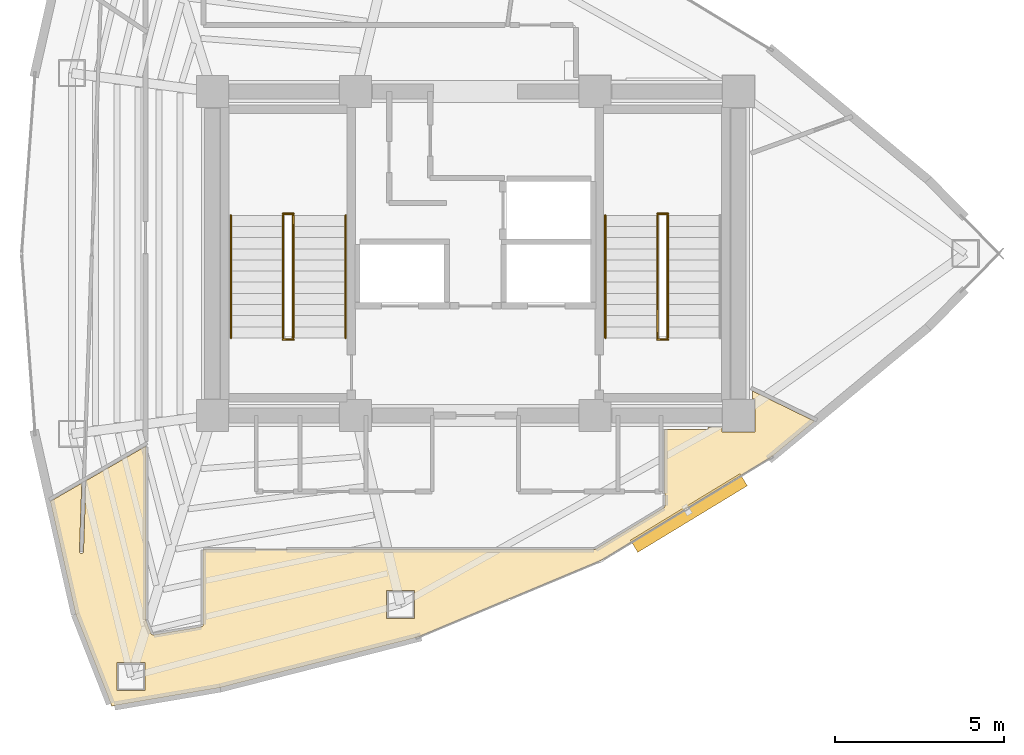
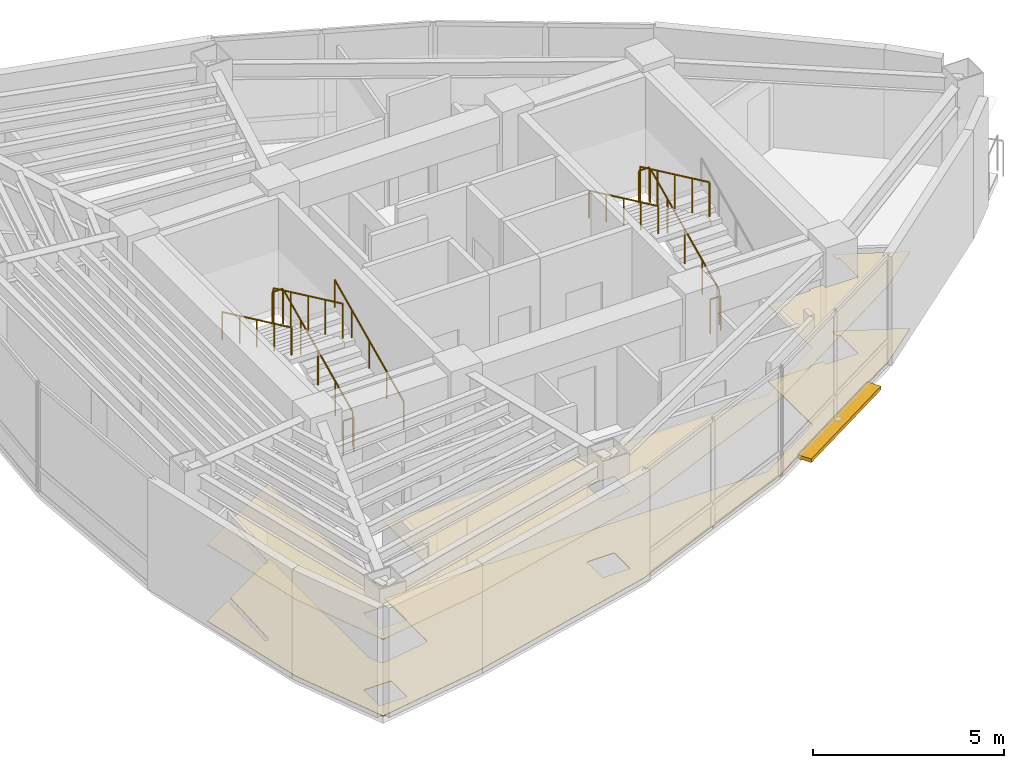
# One storey, part 14 of 16: 11 railings, 2 coverings, 1 shading device.
"""IFC4 building model written with IfcOpenShell, lengths in metres."""

from ifc_helpers import new_model, si_unit, direction, frame, origin, origin_2d, place, context, subcontext, project, spatial, polyline, rectangle, circle, outline, extrude, material, layer, layer_set, type_object, element, save


model = new_model("IFC4")

# Units and contexts
model_context = context("Model", 3, precision=1e-05, world=origin(), true_north=direction((0.0, 1.0)))
body_context = subcontext(model_context, "Body", "Model", "MODEL_VIEW")
ifc_project = project(units=[si_unit("LENGTHUNIT", "METRE"), si_unit("AREAUNIT", "SQUARE_METRE"), si_unit("VOLUMEUNIT", "CUBIC_METRE"), si_unit("PLANEANGLEUNIT", "RADIAN"), si_unit("MASSUNIT", "GRAM", prefix="KILO")], contexts=[model_context])

# Site, building, storey
site_placement = place(None, origin())
site = spatial("IfcSite", under=ifc_project, at=site_placement, CompositionType="ELEMENT")
building_placement = place(site_placement, origin())
building = spatial("IfcBuilding", under=site, at=building_placement, Name="Menara Vayukalpa", CompositionType="ELEMENT")
storey_placement = place(building_placement, frame((0.0, 0.0, 276.89990234375)))
storey = spatial("IfcBuildingStorey", under=building, at=storey_placement, Name="L70", CompositionType="ELEMENT", Elevation=276.89990234375)

# Coverings
ifc_material_1 = material(Name="Mineral Fibre Acoustic Ceiling Tile", Category="masonry")
ifc_layer_1 = layer(ifc_material_1, 0.02490234375)
ifc_layer_set_1 = layer_set([ifc_layer_1], Name="Mineral Fibre Acoustic Ceiling Tile")
covering_type_1 = type_object("IfcCoveringType", Name="COV-CLG1", PredefinedType="CEILING", material=ifc_layer_set_1)
covering_1_placement = place(storey_placement, frame((0.0, 0.0, 2.4501953125)))
element("IfcCovering", 1, at=covering_1_placement, inside=storey, type_object=covering_type_1, Name="L70 Client Conference Room Acoustic Ceiling", PredefinedType="CEILING", context=body_context, shape_type="SweptSolid", body=[
    extrude(outline(polyline([(23.878662109375, 10.624755859375), (23.877197265625, 10.624267578125), (18.028564453125, 9.1328125), (18.027587890625, 9.132568359375), (14.82861328125, 8.58935546875), (14.827392578125, 8.589111328125), (14.826416015625, 8.589111328125), (14.82568359375, 8.58935546875), (14.82470703125, 8.58935546875), (14.82373046875, 8.589599609375), (14.82275390625, 8.590087890625), (14.822021484375, 8.590576171875), (14.821044921875, 8.591064453125), (14.8203125, 8.591552734375), (14.819580078125, 8.59228515625), (14.81884765625, 8.593017578125), (14.818359375, 8.59375), (14.81787109375, 8.5947265625), (14.8173828125, 8.595458984375), (13.751953125, 11.308837890625), (13.751708984375, 11.309814453125), (13.75146484375, 11.310302734375), (13.00048828125, 14.648193359375), (13.000244140625, 14.649169921875), (13.000244140625, 14.650146484375), (13.000244140625, 14.651123046875), (13.000244140625, 14.652099609375), (13.00048828125, 14.653076171875), (13.0009765625, 14.654052734375), (13.001220703125, 14.65478515625), (13.001708984375, 14.65576171875), (13.002197265625, 14.656494140625), (13.0029296875, 14.6572265625), (13.003662109375, 14.657958984375), (13.00439453125, 14.658447265625), (13.005126953125, 14.6591796875), (13.916015625, 15.184814453125), (13.916748046875, 15.185302734375), (13.917724609375, 15.185791015625), (13.918701171875, 15.185791015625), (13.91943359375, 15.18603515625), (13.92041015625, 15.186279296875), (13.92138671875, 15.186279296875), (13.92236328125, 15.18603515625), (13.92333984375, 15.185791015625), (13.92431640625, 15.185546875), (13.92529296875, 15.185302734375), (13.926025390625, 15.184814453125), (13.927001953125, 15.18408203125), (13.927490234375, 15.18359375), (13.92822265625, 15.182861328125), (13.928955078125, 15.18212890625), (13.929443359375, 15.181396484375), (13.929931640625, 15.180419921875), (13.930419921875, 15.1796875), (13.9306640625, 15.1787109375), (13.930908203125, 15.177734375), (13.930908203125, 15.1767578125), (13.930908203125, 15.17578125), (13.861083984375, 13.17333984375), (13.861083984375, 13.167236328125), (13.86181640625, 13.161376953125), (13.863037109375, 13.155517578125), (13.86474609375, 13.14990234375), (13.8671875, 13.14453125), (13.869873046875, 13.139404296875), (13.873291015625, 13.134521484375), (13.876953125, 13.130126953125), (13.881103515625, 13.1259765625), (13.8857421875, 13.122314453125), (13.890869140625, 13.119140625), (13.89599609375, 13.116455078125), (13.901611328125, 13.1142578125), (13.9072265625, 13.112548828125), (13.912841796875, 13.111572265625), (13.918701171875, 13.111083984375), (13.9248046875, 13.111083984375), (13.9306640625, 13.11181640625), (13.936279296875, 13.113037109375), (13.94189453125, 13.114990234375), (13.947265625, 13.1171875), (13.952392578125, 13.1201171875), (13.95751953125, 13.123291015625), (13.9619140625, 13.127197265625), (13.9658203125, 13.13134765625), (13.969482421875, 13.135986328125), (13.972900390625, 13.140869140625), (13.9755859375, 13.14599609375), (13.9775390625, 13.151611328125), (13.9794921875, 13.1572265625), (13.98046875, 13.1630859375), (13.98095703125, 13.169189453125), (14.053955078125, 15.259033203125), (14.053955078125, 15.26025390625), (14.05419921875, 15.26123046875), (14.054443359375, 15.26220703125), (14.054931640625, 15.26318359375), (14.055419921875, 15.263916015625), (14.055908203125, 15.264892578125), (14.056396484375, 15.265625), (14.057373046875, 15.266357421875), (14.05810546875, 15.266845703125), (14.058837890625, 15.267578125), (15.81494140625, 16.281494140625), (15.81591796875, 16.28173828125), (15.81689453125, 16.2822265625), (15.81787109375, 16.282470703125), (15.81884765625, 16.28271484375), (15.81982421875, 16.28271484375), (15.82080078125, 16.28271484375), (15.82177734375, 16.282470703125), (15.82275390625, 16.2822265625), (15.82373046875, 16.281982421875), (15.82470703125, 16.281494140625), (15.825439453125, 16.281005859375), (15.826171875, 16.280517578125), (15.826904296875, 16.27978515625), (15.82763671875, 16.279052734375), (15.828369140625, 16.2783203125), (15.828857421875, 16.277587890625), (15.8291015625, 16.276611328125), (15.82958984375, 16.275634765625), (15.829833984375, 16.274658203125), (15.830078125, 16.273681640625), (15.830078125, 16.272705078125), (15.830078125, 11.146484375), (15.830322265625, 11.1396484375), (15.831298828125, 11.13330078125), (15.832763671875, 11.126708984375), (15.8349609375, 11.12060546875), (15.984619140625, 10.7392578125), (15.987548828125, 10.732666015625), (15.990966796875, 10.726806640625), (15.994873046875, 10.72119140625), (15.999267578125, 10.716064453125), (16.00439453125, 10.71142578125), (16.009765625, 10.707275390625), (16.015625, 10.70361328125), (16.021484375, 10.700439453125), (16.02783203125, 10.697998046875), (16.034423828125, 10.6962890625), (16.041259765625, 10.695068359375), (16.048095703125, 10.694580078125), (16.054931640625, 10.694580078125), (16.06201171875, 10.695556640625), (17.471435546875, 10.934814453125), (17.478515625, 10.936279296875), (17.485107421875, 10.938720703125), (17.49169921875, 10.94140625), (17.497802734375, 10.94482421875), (17.50341796875, 10.94921875), (17.5087890625, 10.95361328125), (17.513427734375, 10.958740234375), (17.517822265625, 10.96435546875), (17.521484375, 10.97021484375), (17.5244140625, 10.9765625), (17.52685546875, 10.983154296875), (17.528564453125, 10.989990234375), (17.529541015625, 10.996826171875), (17.530029296875, 11.004150390625), (17.530029296875, 13.2099609375), (17.530029296875, 13.2109375), (17.5302734375, 13.2119140625), (17.530517578125, 13.212890625), (17.53076171875, 13.2138671875), (17.53125, 13.214599609375), (17.53173828125, 13.215576171875), (17.5322265625, 13.21630859375), (17.532958984375, 13.217041015625), (17.53369140625, 13.2177734375), (17.534423828125, 13.21826171875), (17.535400390625, 13.21875), (17.5361328125, 13.21923828125), (17.537109375, 13.219482421875), (17.5380859375, 13.2197265625), (17.5390625, 13.219970703125), (17.5400390625, 13.219970703125), (29.109619140625, 13.219970703125), (29.11669921875, 13.220458984375), (29.12353515625, 13.221435546875), (29.13037109375, 13.22314453125), (29.13720703125, 13.2255859375), (29.153076171875, 13.232177734375), (29.157958984375, 13.234375), (29.16259765625, 13.237060546875), (31.18603515625, 14.46630859375), (31.1923828125, 14.470458984375), (31.19775390625, 14.47509765625), (31.20263671875, 14.480224609375), (31.20703125, 14.48583984375), (31.2109375, 14.491943359375), (31.214111328125, 14.498291015625), (31.216552734375, 14.5048828125), (31.218505859375, 14.511962890625), (31.219482421875, 14.51904296875), (31.219970703125, 14.5263671875), (31.219970703125, 14.849609375), (31.219482421875, 14.856689453125), (31.21875, 14.86376953125), (31.217041015625, 14.870361328125), (31.214599609375, 14.876708984375), (31.2119140625, 14.8828125), (31.211669921875, 14.883056640625), (31.211181640625, 14.8837890625), (31.210693359375, 14.884765625), (31.21044921875, 14.8857421875), (31.210205078125, 14.88671875), (31.2099609375, 14.8876953125), (31.2099609375, 14.888671875), (31.2099609375, 16.780029296875), (31.2099609375, 16.781005859375), (31.210205078125, 16.781982421875), (31.21044921875, 16.782958984375), (31.210693359375, 16.78369140625), (31.211181640625, 16.78466796875), (31.211669921875, 16.78564453125), (31.21240234375, 16.786376953125), (31.212890625, 16.787109375), (31.213623046875, 16.78759765625), (31.21435546875, 16.788330078125), (31.21533203125, 16.788818359375), (31.21630859375, 16.789306640625), (31.217041015625, 16.78955078125), (31.218017578125, 16.789794921875), (31.218994140625, 16.7900390625), (31.219970703125, 16.7900390625), (32.489990234375, 16.7900390625), (32.489990234375, 16.85009765625), (32.909912109375, 16.85009765625), (32.909912109375, 16.7099609375), (33.889892578125, 16.7099609375), (33.889892578125, 17.68994140625), (33.81005859375, 17.68994140625), (33.81005859375, 17.9130859375), (33.81005859375, 17.9140625), (33.810302734375, 17.914794921875), (33.810302734375, 17.916015625), (33.810791015625, 17.916748046875), (33.81103515625, 17.91748046875), (33.8115234375, 17.91845703125), (33.812255859375, 17.919189453125), (33.812744140625, 17.919921875), (33.8134765625, 17.920654296875), (33.814208984375, 17.921142578125), (33.815185546875, 17.921630859375), (33.81591796875, 17.922119140625), (33.81689453125, 17.922607421875), (33.81787109375, 17.9228515625), (33.81884765625, 17.9228515625), (33.819580078125, 17.923095703125), (33.82080078125, 17.923095703125), (33.821533203125, 17.9228515625), (33.822509765625, 17.922607421875), (33.823486328125, 17.92236328125), (33.824462890625, 17.922119140625), (35.638916015625, 17.037109375), (35.6396484375, 17.03662109375), (35.640380859375, 17.035888671875), (35.64111328125, 17.035400390625), (35.641845703125, 17.03466796875), (35.642578125, 17.03369140625), (35.64306640625, 17.032958984375), (35.6435546875, 17.031982421875), (35.643798828125, 17.031005859375), (35.644287109375, 17.0302734375), (35.644287109375, 17.029296875), (35.644287109375, 17.0283203125), (35.644287109375, 17.027099609375), (35.644287109375, 17.026123046875), (35.64404296875, 17.025146484375), (35.643798828125, 17.0244140625), (35.643310546875, 17.0234375), (35.642822265625, 17.0224609375), (35.64208984375, 17.021728515625), (35.6416015625, 17.02099609375), (35.640869140625, 17.020263671875), (34.374755859375, 15.97021484375), (34.37353515625, 15.969482421875), (29.3271484375, 12.904052734375), (29.326416015625, 12.90380859375), (29.32568359375, 12.9033203125), (23.878662109375, 10.624755859375)]), holes=[polyline([(14.97412109375, 9.870361328125), (14.97412109375, 9.040283203125), (15.80419921875, 9.040283203125), (15.80419921875, 9.870361328125), (14.97412109375, 9.870361328125)]), polyline([(23.796875, 12.01025390625), (22.966796875, 12.01025390625), (22.966796875, 11.18017578125), (23.796875, 11.18017578125), (23.796875, 12.01025390625)])]), origin(), (0.0, 0.0, 1.0), 0.02490234375),
])
ifc_material_2 = material(Name="Porcelain Stoneware Floor Tile", Category="masonry")
ifc_layer_2 = layer(ifc_material_2, 0.02001953125)
ifc_layer_set_2 = layer_set([ifc_layer_2], Name="Porcelain Stoneware Floor Tile")
covering_type_2 = type_object("IfcCoveringType", Name="COV-FLR1", PredefinedType="FLOORING", material=ifc_layer_set_2)
covering_2_placement = place(storey_placement, origin())
element("IfcCovering", 2, at=covering_2_placement, inside=storey, type_object=covering_type_2, Name="L70 Client Conference Room Porcelain Flooring", PredefinedType="FLOORING", context=body_context, shape_type="SweptSolid", body=[
    extrude(outline(polyline([(23.878662109375, 10.624755859375), (23.877197265625, 10.624267578125), (18.028564453125, 9.1328125), (18.027587890625, 9.132568359375), (14.82861328125, 8.58935546875), (14.827392578125, 8.589111328125), (14.826416015625, 8.589111328125), (14.82568359375, 8.58935546875), (14.82470703125, 8.58935546875), (14.82373046875, 8.589599609375), (14.82275390625, 8.590087890625), (14.822021484375, 8.590576171875), (14.821044921875, 8.591064453125), (14.8203125, 8.591552734375), (14.819580078125, 8.59228515625), (14.81884765625, 8.593017578125), (14.818359375, 8.59375), (14.81787109375, 8.5947265625), (14.8173828125, 8.595458984375), (13.751953125, 11.308837890625), (13.751708984375, 11.309814453125), (13.75146484375, 11.310302734375), (13.00048828125, 14.648193359375), (13.000244140625, 14.649169921875), (13.000244140625, 14.650146484375), (13.000244140625, 14.651123046875), (13.000244140625, 14.652099609375), (13.00048828125, 14.653076171875), (13.0009765625, 14.654052734375), (13.001220703125, 14.65478515625), (13.001708984375, 14.65576171875), (13.002197265625, 14.656494140625), (13.0029296875, 14.6572265625), (13.003662109375, 14.657958984375), (13.00439453125, 14.658447265625), (13.005126953125, 14.6591796875), (13.916015625, 15.184814453125), (13.916748046875, 15.185302734375), (13.917724609375, 15.185791015625), (13.918701171875, 15.185791015625), (13.91943359375, 15.18603515625), (13.92041015625, 15.186279296875), (13.92138671875, 15.186279296875), (13.92236328125, 15.18603515625), (13.92333984375, 15.185791015625), (13.92431640625, 15.185546875), (13.92529296875, 15.185302734375), (13.926025390625, 15.184814453125), (13.927001953125, 15.18408203125), (13.927490234375, 15.18359375), (13.92822265625, 15.182861328125), (13.928955078125, 15.18212890625), (13.929443359375, 15.181396484375), (13.929931640625, 15.180419921875), (13.930419921875, 15.1796875), (13.9306640625, 15.1787109375), (13.930908203125, 15.177734375), (13.930908203125, 15.1767578125), (13.930908203125, 15.17578125), (13.861083984375, 13.17333984375), (13.861083984375, 13.167236328125), (13.86181640625, 13.161376953125), (13.863037109375, 13.155517578125), (13.86474609375, 13.14990234375), (13.8671875, 13.14453125), (13.869873046875, 13.139404296875), (13.873291015625, 13.134521484375), (13.876953125, 13.130126953125), (13.881103515625, 13.1259765625), (13.8857421875, 13.122314453125), (13.890869140625, 13.119140625), (13.89599609375, 13.116455078125), (13.901611328125, 13.1142578125), (13.9072265625, 13.112548828125), (13.912841796875, 13.111572265625), (13.918701171875, 13.111083984375), (13.9248046875, 13.111083984375), (13.9306640625, 13.11181640625), (13.936279296875, 13.113037109375), (13.94189453125, 13.114990234375), (13.947265625, 13.1171875), (13.952392578125, 13.1201171875), (13.95751953125, 13.123291015625), (13.9619140625, 13.127197265625), (13.9658203125, 13.13134765625), (13.969482421875, 13.135986328125), (13.972900390625, 13.140869140625), (13.9755859375, 13.14599609375), (13.9775390625, 13.151611328125), (13.9794921875, 13.1572265625), (13.98046875, 13.1630859375), (13.98095703125, 13.169189453125), (14.053955078125, 15.259033203125), (14.053955078125, 15.26025390625), (14.05419921875, 15.26123046875), (14.054443359375, 15.26220703125), (14.054931640625, 15.26318359375), (14.055419921875, 15.263916015625), (14.055908203125, 15.264892578125), (14.056396484375, 15.265625), (14.057373046875, 15.266357421875), (14.05810546875, 15.266845703125), (14.058837890625, 15.267578125), (15.81494140625, 16.281494140625), (15.81591796875, 16.28173828125), (15.81689453125, 16.2822265625), (15.81787109375, 16.282470703125), (15.81884765625, 16.28271484375), (15.81982421875, 16.28271484375), (15.82080078125, 16.28271484375), (15.82177734375, 16.282470703125), (15.82275390625, 16.2822265625), (15.82373046875, 16.281982421875), (15.82470703125, 16.281494140625), (15.825439453125, 16.281005859375), (15.826171875, 16.280517578125), (15.826904296875, 16.27978515625), (15.82763671875, 16.279052734375), (15.828369140625, 16.2783203125), (15.828857421875, 16.277587890625), (15.8291015625, 16.276611328125), (15.82958984375, 16.275634765625), (15.829833984375, 16.274658203125), (15.830078125, 16.273681640625), (15.830078125, 16.272705078125), (15.830078125, 11.146484375), (15.830322265625, 11.1396484375), (15.831298828125, 11.13330078125), (15.832763671875, 11.126708984375), (15.8349609375, 11.12060546875), (15.984619140625, 10.7392578125), (15.987548828125, 10.732666015625), (15.990966796875, 10.726806640625), (15.994873046875, 10.72119140625), (15.999267578125, 10.716064453125), (16.00439453125, 10.71142578125), (16.009765625, 10.707275390625), (16.015625, 10.70361328125), (16.021484375, 10.700439453125), (16.02783203125, 10.697998046875), (16.034423828125, 10.6962890625), (16.041259765625, 10.695068359375), (16.048095703125, 10.694580078125), (16.054931640625, 10.694580078125), (16.06201171875, 10.695556640625), (17.471435546875, 10.934814453125), (17.478515625, 10.936279296875), (17.485107421875, 10.938720703125), (17.49169921875, 10.94140625), (17.497802734375, 10.94482421875), (17.50341796875, 10.94921875), (17.5087890625, 10.95361328125), (17.513427734375, 10.958740234375), (17.517822265625, 10.96435546875), (17.521484375, 10.97021484375), (17.5244140625, 10.9765625), (17.52685546875, 10.983154296875), (17.528564453125, 10.989990234375), (17.529541015625, 10.996826171875), (17.530029296875, 11.004150390625), (17.530029296875, 13.2099609375), (17.530029296875, 13.2109375), (17.5302734375, 13.2119140625), (17.530517578125, 13.212890625), (17.53076171875, 13.2138671875), (17.53125, 13.214599609375), (17.53173828125, 13.215576171875), (17.5322265625, 13.21630859375), (17.532958984375, 13.217041015625), (17.53369140625, 13.2177734375), (17.534423828125, 13.21826171875), (17.535400390625, 13.21875), (17.5361328125, 13.21923828125), (17.537109375, 13.219482421875), (17.5380859375, 13.2197265625), (17.5390625, 13.219970703125), (17.5400390625, 13.219970703125), (29.109619140625, 13.219970703125), (29.11669921875, 13.220458984375), (29.12353515625, 13.221435546875), (29.13037109375, 13.22314453125), (29.13720703125, 13.2255859375), (29.153076171875, 13.232177734375), (29.157958984375, 13.234375), (29.16259765625, 13.237060546875), (31.18603515625, 14.46630859375), (31.1923828125, 14.470458984375), (31.19775390625, 14.47509765625), (31.20263671875, 14.480224609375), (31.20703125, 14.48583984375), (31.2109375, 14.491943359375), (31.214111328125, 14.498291015625), (31.216552734375, 14.5048828125), (31.218505859375, 14.511962890625), (31.219482421875, 14.51904296875), (31.219970703125, 14.5263671875), (31.219970703125, 14.849609375), (31.219482421875, 14.856689453125), (31.21875, 14.86376953125), (31.217041015625, 14.870361328125), (31.214599609375, 14.876708984375), (31.2119140625, 14.8828125), (31.211669921875, 14.883056640625), (31.211181640625, 14.8837890625), (31.210693359375, 14.884765625), (31.21044921875, 14.8857421875), (31.210205078125, 14.88671875), (31.2099609375, 14.8876953125), (31.2099609375, 14.888671875), (31.2099609375, 16.780029296875), (31.2099609375, 16.781005859375), (31.210205078125, 16.781982421875), (31.21044921875, 16.782958984375), (31.210693359375, 16.78369140625), (31.211181640625, 16.78466796875), (31.211669921875, 16.78564453125), (31.21240234375, 16.786376953125), (31.212890625, 16.787109375), (31.213623046875, 16.78759765625), (31.21435546875, 16.788330078125), (31.21533203125, 16.788818359375), (31.21630859375, 16.789306640625), (31.217041015625, 16.78955078125), (31.218017578125, 16.789794921875), (31.218994140625, 16.7900390625), (31.219970703125, 16.7900390625), (32.489990234375, 16.7900390625), (32.489990234375, 16.85009765625), (32.909912109375, 16.85009765625), (32.909912109375, 16.7099609375), (33.889892578125, 16.7099609375), (33.889892578125, 17.68994140625), (33.81005859375, 17.68994140625), (33.81005859375, 17.9130859375), (33.81005859375, 17.9140625), (33.810302734375, 17.914794921875), (33.810302734375, 17.916015625), (33.810791015625, 17.916748046875), (33.81103515625, 17.91748046875), (33.8115234375, 17.91845703125), (33.812255859375, 17.919189453125), (33.812744140625, 17.919921875), (33.8134765625, 17.920654296875), (33.814208984375, 17.921142578125), (33.815185546875, 17.921630859375), (33.81591796875, 17.922119140625), (33.81689453125, 17.922607421875), (33.81787109375, 17.9228515625), (33.81884765625, 17.9228515625), (33.819580078125, 17.923095703125), (33.82080078125, 17.923095703125), (33.821533203125, 17.9228515625), (33.822509765625, 17.922607421875), (33.823486328125, 17.92236328125), (33.824462890625, 17.922119140625), (35.638916015625, 17.037109375), (35.6396484375, 17.03662109375), (35.640380859375, 17.035888671875), (35.64111328125, 17.035400390625), (35.641845703125, 17.03466796875), (35.642578125, 17.03369140625), (35.64306640625, 17.032958984375), (35.6435546875, 17.031982421875), (35.643798828125, 17.031005859375), (35.644287109375, 17.0302734375), (35.644287109375, 17.029296875), (35.644287109375, 17.0283203125), (35.644287109375, 17.027099609375), (35.644287109375, 17.026123046875), (35.64404296875, 17.025146484375), (35.643798828125, 17.0244140625), (35.643310546875, 17.0234375), (35.642822265625, 17.0224609375), (35.64208984375, 17.021728515625), (35.6416015625, 17.02099609375), (35.640869140625, 17.020263671875), (34.374755859375, 15.97021484375), (34.37353515625, 15.969482421875), (29.3271484375, 12.904052734375), (29.326416015625, 12.90380859375), (29.32568359375, 12.9033203125), (23.878662109375, 10.624755859375)]), holes=[polyline([(14.97412109375, 9.870361328125), (14.97412109375, 9.040283203125), (15.80419921875, 9.040283203125), (15.80419921875, 9.870361328125), (14.97412109375, 9.870361328125)]), polyline([(23.796875, 12.01025390625), (22.966796875, 12.01025390625), (22.966796875, 11.18017578125), (23.796875, 11.18017578125), (23.796875, 12.01025390625)])]), origin(), (0.0, 0.0, 1.0), 0.02001953125),
])

# Railings
ifc_material_3 = material(Name="Powder-Coated Galvanised Steel Guardrail", Category="steel")
railing_type_1 = type_object("IfcRailingType", Name="RLG-STG110", PredefinedType="GUARDRAIL", material=ifc_material_3)
railing_1_placement = place(storey_placement, frame((20.199951171875, 19.5, 0.155029296875)))
element("IfcRailing", 3, at=railing_1_placement, inside=storey, type_object=railing_type_1, Name="L70 ST-1 stair guard 1", PredefinedType="GUARDRAIL", context=body_context, shape_type="SweptSolid", body=[
    extrude(circle(Radius=0.02392578125, at=origin_2d()), frame((0.0, 0.0, 1.09619140625), z_axis=(0.0, 0.90511648382, 0.425163675209), x_axis=(-1.0, 0.0, 0.0)), (0.0, 0.0, 1.0), 4.010498046875),
    extrude(circle(Radius=0.02099609375, at=origin_2d()), origin(), (0.0, 0.0, 1.0), 1.072021484375),
    extrude(circle(Radius=0.02099609375, at=origin_2d()), frame((0.0, 0.907470703125, 0.42626953125)), (0.0, 0.0, 1.0), 1.072021484375),
    extrude(circle(Radius=0.02099609375, at=origin_2d()), frame((0.0, 1.81494140625, 0.8525390625)), (0.0, 0.0, 1.0), 1.072021484375),
    extrude(circle(Radius=0.02099609375, at=origin_2d()), frame((0.0, 2.722412109375, 1.27880859375)), (0.0, 0.0, 1.0), 1.072021484375),
    extrude(circle(Radius=0.02099609375, at=origin_2d()), frame((0.0, 3.6298828125, 1.705078125)), (0.0, 0.0, 1.0), 1.072021484375),
])
railing_2_placement = place(storey_placement, frame((20.2099609375, 23.179931640625, 1.860107421875)))
element("IfcRailing", 4, at=railing_2_placement, inside=storey, type_object=railing_type_1, Name="L70 ST-1 stair guard 2", PredefinedType="GUARDRAIL", context=body_context, shape_type="SweptSolid", body=[
    extrude(circle(Radius=0.02392578125, at=origin_2d()), frame((0.0, 0.0, 1.09619140625), z_axis=(-1.0, 0.0, 0.0), x_axis=(0.0, -1.0, 0.0)), (0.0, 0.0, 1.0), 0.320068359375),
    extrude(circle(Radius=0.02099609375, at=origin_2d()), origin(), (0.0, 0.0, 1.0), 1.072021484375),
    extrude(circle(Radius=0.02099609375, at=origin_2d()), frame((-0.320068359375, 0.0, 0.0)), (0.0, 0.0, 1.0), 1.072021484375),
])
railing_3_placement = place(storey_placement, frame((19.89990234375, 23.1298828125, 2.01513671875)))
element("IfcRailing", 5, at=railing_3_placement, inside=storey, type_object=railing_type_1, Name="L70 ST-1 stair guard 3", PredefinedType="GUARDRAIL", context=body_context, shape_type="SweptSolid", body=[
    extrude(circle(Radius=0.02392578125, at=origin_2d()), frame((0.0, 0.0, 1.09619140625), z_axis=(0.0, -0.90511648382, 0.425163675209), x_axis=(1.0, 0.0, 0.0)), (0.0, 0.0, 1.0), 4.010498046875),
    extrude(circle(Radius=0.02099609375, at=origin_2d()), origin(), (0.0, 0.0, 1.0), 1.072021484375),
    extrude(circle(Radius=0.02099609375, at=origin_2d()), frame((0.0, -0.907470703125, 0.42626953125)), (0.0, 0.0, 1.0), 1.072021484375),
    extrude(circle(Radius=0.02099609375, at=origin_2d()), frame((0.0, -1.81494140625, 0.8525390625)), (0.0, 0.0, 1.0), 1.072021484375),
    extrude(circle(Radius=0.02099609375, at=origin_2d()), frame((0.0, -2.722412109375, 1.27880859375)), (0.0, 0.0, 1.0), 1.072021484375),
    extrude(circle(Radius=0.02099609375, at=origin_2d()), frame((0.0, -3.6298828125, 1.705078125)), (0.0, 0.0, 1.0), 1.072021484375),
])
railing_4_placement = place(storey_placement, frame((20.2099609375, 19.449951171875, 0.0)))
element("IfcRailing", 6, at=railing_4_placement, inside=storey, type_object=railing_type_1, Name="L70 ST-1 stair guard 4", PredefinedType="GUARDRAIL", context=body_context, shape_type="SweptSolid", body=[
    extrude(circle(Radius=0.02392578125, at=origin_2d()), frame((0.0, 0.0, 1.09619140625), z_axis=(-1.0, 0.0, 0.0), x_axis=(0.0, -1.0, 0.0)), (0.0, 0.0, 1.0), 0.320068359375),
    extrude(circle(Radius=0.02099609375, at=origin_2d()), origin(), (0.0, 0.0, 1.0), 1.072021484375),
    extrude(circle(Radius=0.02099609375, at=origin_2d()), frame((-0.320068359375, 0.0, 0.0)), (0.0, 0.0, 1.0), 1.072021484375),
])
railing_5_placement = place(storey_placement, frame((31.300048828125, 19.5, 0.155029296875)))
element("IfcRailing", 7, at=railing_5_placement, inside=storey, type_object=railing_type_1, Name="L70 ST-2 stair guard 1", PredefinedType="GUARDRAIL", context=body_context, shape_type="SweptSolid", body=[
    extrude(circle(Radius=0.02392578125, at=origin_2d()), frame((0.0, 0.0, 1.09619140625), z_axis=(0.0, 0.90511648382, 0.425163675209), x_axis=(-1.0, 0.0, 0.0)), (0.0, 0.0, 1.0), 4.010498046875),
    extrude(circle(Radius=0.02099609375, at=origin_2d()), origin(), (0.0, 0.0, 1.0), 1.072021484375),
    extrude(circle(Radius=0.02099609375, at=origin_2d()), frame((0.0, 0.907470703125, 0.42626953125)), (0.0, 0.0, 1.0), 1.072021484375),
    extrude(circle(Radius=0.02099609375, at=origin_2d()), frame((0.0, 1.81494140625, 0.8525390625)), (0.0, 0.0, 1.0), 1.072021484375),
    extrude(circle(Radius=0.02099609375, at=origin_2d()), frame((0.0, 2.722412109375, 1.27880859375)), (0.0, 0.0, 1.0), 1.072021484375),
    extrude(circle(Radius=0.02099609375, at=origin_2d()), frame((0.0, 3.6298828125, 1.705078125)), (0.0, 0.0, 1.0), 1.072021484375),
])
railing_6_placement = place(storey_placement, frame((31.31005859375, 23.179931640625, 1.860107421875)))
element("IfcRailing", 8, at=railing_6_placement, inside=storey, type_object=railing_type_1, Name="L70 ST-2 stair guard 2", PredefinedType="GUARDRAIL", context=body_context, shape_type="SweptSolid", body=[
    extrude(circle(Radius=0.02392578125, at=origin_2d()), frame((0.0, 0.0, 1.09619140625), z_axis=(-1.0, 0.0, 0.0), x_axis=(0.0, -1.0, 0.0)), (0.0, 0.0, 1.0), 0.320068359375),
    extrude(circle(Radius=0.02099609375, at=origin_2d()), origin(), (0.0, 0.0, 1.0), 1.072021484375),
    extrude(circle(Radius=0.02099609375, at=origin_2d()), frame((-0.320068359375, 0.0, 0.0)), (0.0, 0.0, 1.0), 1.072021484375),
])
railing_7_placement = place(storey_placement, frame((31.0, 23.1298828125, 2.01513671875)))
element("IfcRailing", 9, at=railing_7_placement, inside=storey, type_object=railing_type_1, Name="L70 ST-2 stair guard 3", PredefinedType="GUARDRAIL", context=body_context, shape_type="SweptSolid", body=[
    extrude(circle(Radius=0.02392578125, at=origin_2d()), frame((0.0, 0.0, 1.09619140625), z_axis=(0.0, -0.90511648382, 0.425163675209), x_axis=(1.0, 0.0, 0.0)), (0.0, 0.0, 1.0), 4.010498046875),
    extrude(circle(Radius=0.02099609375, at=origin_2d()), origin(), (0.0, 0.0, 1.0), 1.072021484375),
    extrude(circle(Radius=0.02099609375, at=origin_2d()), frame((0.0, -0.907470703125, 0.42626953125)), (0.0, 0.0, 1.0), 1.072021484375),
    extrude(circle(Radius=0.02099609375, at=origin_2d()), frame((0.0, -1.81494140625, 0.8525390625)), (0.0, 0.0, 1.0), 1.072021484375),
    extrude(circle(Radius=0.02099609375, at=origin_2d()), frame((0.0, -2.722412109375, 1.27880859375)), (0.0, 0.0, 1.0), 1.072021484375),
    extrude(circle(Radius=0.02099609375, at=origin_2d()), frame((0.0, -3.6298828125, 1.705078125)), (0.0, 0.0, 1.0), 1.072021484375),
])
railing_8_placement = place(storey_placement, frame((31.31005859375, 19.449951171875, 0.0)))
element("IfcRailing", 10, at=railing_8_placement, inside=storey, type_object=railing_type_1, Name="L70 ST-2 stair guard 4", PredefinedType="GUARDRAIL", context=body_context, shape_type="SweptSolid", body=[
    extrude(circle(Radius=0.02392578125, at=origin_2d()), frame((0.0, 0.0, 1.09619140625), z_axis=(-1.0, 0.0, 0.0), x_axis=(0.0, -1.0, 0.0)), (0.0, 0.0, 1.0), 0.320068359375),
    extrude(circle(Radius=0.02099609375, at=origin_2d()), origin(), (0.0, 0.0, 1.0), 1.072021484375),
    extrude(circle(Radius=0.02099609375, at=origin_2d()), frame((-0.320068359375, 0.0, 0.0)), (0.0, 0.0, 1.0), 1.072021484375),
])
ifc_material_4 = material(Name="Stainless Steel 316 Tubular Handrail", Category="steel")
railing_type_2 = type_object("IfcRailingType", Name="RLG-STH090", PredefinedType="HANDRAIL", material=ifc_material_4)
railing_9_placement = place(storey_placement, frame((21.75, 19.5, 0.155029296875)))
element("IfcRailing", 11, at=railing_9_placement, inside=storey, type_object=railing_type_2, Name="L70 ST-1 stair handrail 1", PredefinedType="HANDRAIL", context=body_context, shape_type="SweptSolid", body=[
    extrude(circle(Radius=0.02392578125, at=origin_2d()), frame((0.0, 0.0, 0.8759765625), z_axis=(0.0, 0.90511648382, 0.425163675209), x_axis=(-1.0, 0.0, 0.0)), (0.0, 0.0, 1.0), 4.010498046875),
    extrude(circle(Radius=0.02099609375, at=origin_2d()), origin(), (0.0, 0.0, 1.0), 0.851806640625),
    extrude(circle(Radius=0.02099609375, at=origin_2d()), frame((0.0, 0.907470703125, 0.42626953125)), (0.0, 0.0, 1.0), 0.851806640625),
    extrude(circle(Radius=0.02099609375, at=origin_2d()), frame((0.0, 1.81494140625, 0.8525390625)), (0.0, 0.0, 1.0), 0.851806640625),
    extrude(circle(Radius=0.02099609375, at=origin_2d()), frame((0.0, 2.722412109375, 1.27880859375)), (0.0, 0.0, 1.0), 0.851806640625),
    extrude(circle(Radius=0.02099609375, at=origin_2d()), frame((0.0, 3.6298828125, 1.705078125)), (0.0, 0.0, 1.0), 0.851806640625),
])
for number, where, name in (
    (12, (18.35009765625, 23.1298828125, 2.01513671875), "L70 ST-1 stair handrail 2"),
    (13, (29.449951171875, 23.1298828125, 2.01513671875), "L70 ST-2 stair handrail 2"),
):
    element("IfcRailing", number, at=place(storey_placement, frame(where)), inside=storey, type_object=railing_type_2, Name=name, PredefinedType="HANDRAIL", context=body_context, shape_type="SweptSolid", body=[
        extrude(circle(Radius=0.02392578125, at=origin_2d()), frame((0.0, 0.0, 0.8759765625), z_axis=(0.0, -0.90511648382, 0.425163675209), x_axis=(1.0, 0.0, 0.0)), (0.0, 0.0, 1.0), 4.010498046875),
        extrude(circle(Radius=0.02099609375, at=origin_2d()), origin(), (0.0, 0.0, 1.0), 0.851806640625),
        extrude(circle(Radius=0.02099609375, at=origin_2d()), frame((0.0, -0.907470703125, 0.42626953125)), (0.0, 0.0, 1.0), 0.851806640625),
        extrude(circle(Radius=0.02099609375, at=origin_2d()), frame((0.0, -1.81494140625, 0.8525390625)), (0.0, 0.0, 1.0), 0.851806640625),
        extrude(circle(Radius=0.02099609375, at=origin_2d()), frame((0.0, -2.722412109375, 1.27880859375)), (0.0, 0.0, 1.0), 0.851806640625),
        extrude(circle(Radius=0.02099609375, at=origin_2d()), frame((0.0, -3.6298828125, 1.705078125)), (0.0, 0.0, 1.0), 0.851806640625),
    ])

# Shading device
ifc_material_5 = material(Name="Glazed Terracotta Ceramic Baguette Extrusion", Category="masonry")
ifc_layer_3 = layer(ifc_material_5, 0.1201171875)
ifc_layer_set_3 = layer_set([ifc_layer_3], Name="Glazed Terracotta Ceramic Baguette Extrusion")
shading_device_type = type_object("IfcShadingDeviceType", Name="SHD-SS1", PredefinedType="USERDEFINED", material=ifc_layer_set_3)
shading_device_placement = place(storey_placement, frame((31.927978515625, 14.30859375, -0.099853515625), z_axis=(0.0, 0.0, 1.0), x_axis=(0.85466730962, 0.519176068272, 0.0)))
element("IfcShadingDevice", 14, at=shading_device_placement, inside=storey, type_object=shading_device_type, Name="L70 Horizontal Terracotta Sunshade Band 17", ObjectType="SUNSHADE", PredefinedType="USERDEFINED", context=body_context, shape_type="SweptSolid", body=[
    extrude(rectangle(XDim=3.800048828125, YDim=0.419921875, at=origin_2d()), origin(), (0.0, 0.0, 1.0), 0.1201171875),
])

save(model, "model.ifc")
